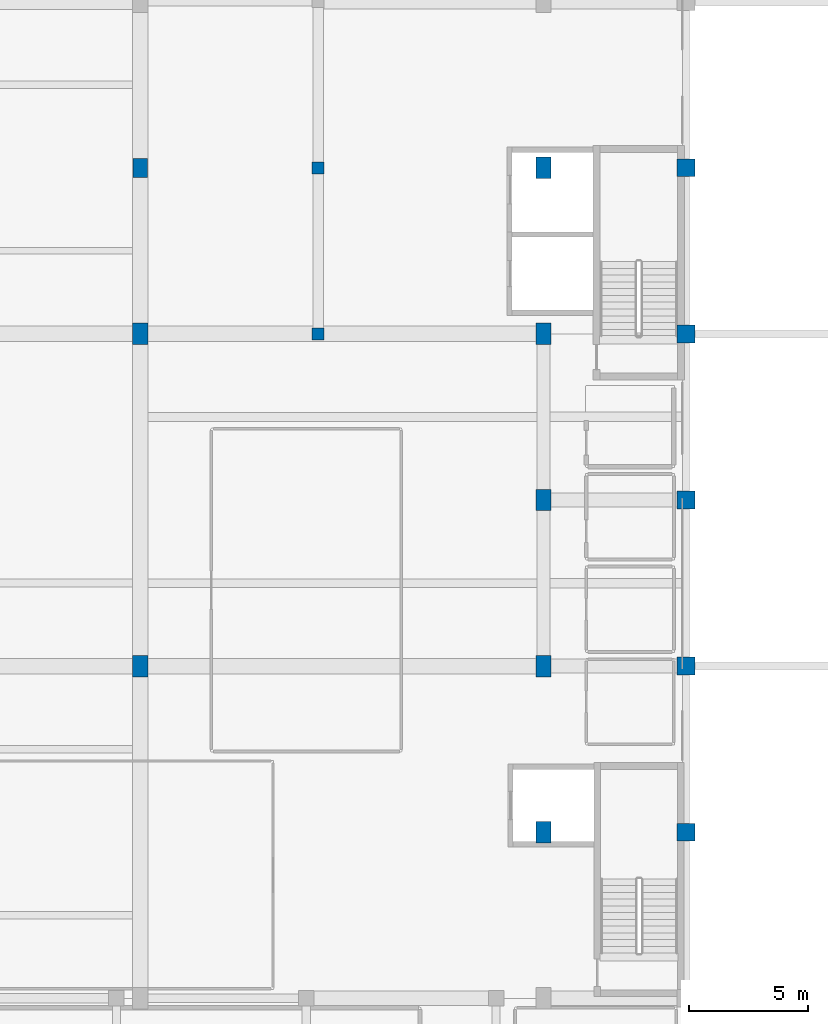
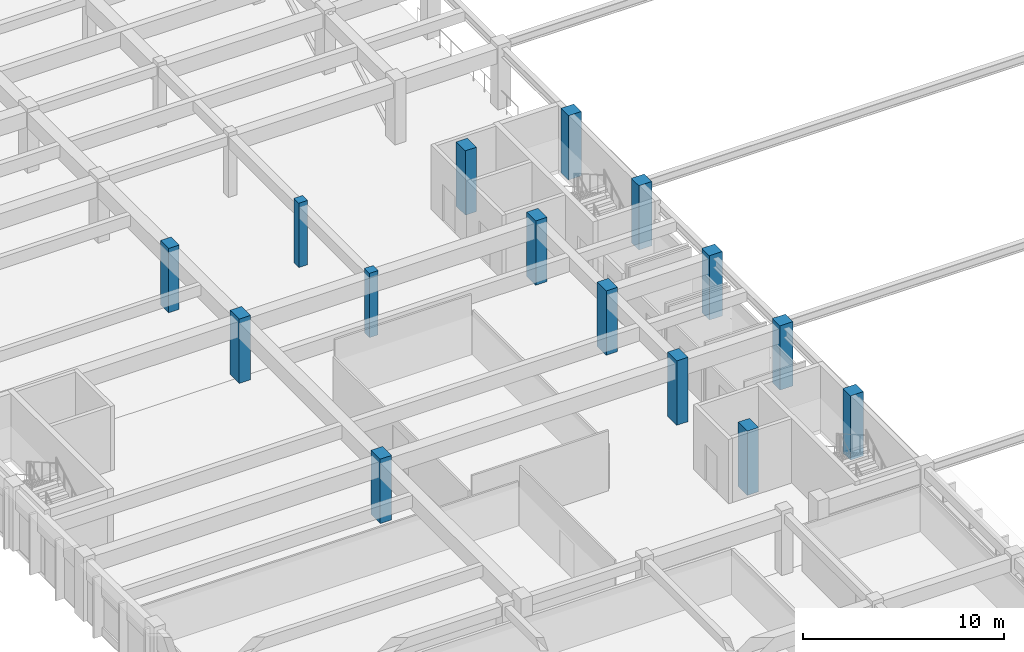
# One storey, part 4 of 98: 15 columns.
"""IFC4 building model written with IfcOpenShell, lengths in metres."""

from ifc_helpers import new_model, si_unit, direction, frame, origin, origin_2d, place, context, subcontext, project, spatial, rectangle, extrude, material, material_profile, profile_set, type_object, element, save


model = new_model("IFC4")

# Units and contexts
model_context = context("Model", 3, precision=1e-05, world=origin(), true_north=direction((0.0, 1.0)))
body_context = subcontext(model_context, "Body", "Model", "MODEL_VIEW")
ifc_project = project(units=[si_unit("LENGTHUNIT", "METRE"), si_unit("AREAUNIT", "SQUARE_METRE"), si_unit("VOLUMEUNIT", "CUBIC_METRE"), si_unit("PLANEANGLEUNIT", "RADIAN"), si_unit("MASSUNIT", "GRAM", prefix="KILO")], contexts=[model_context])

# Site, building, storey
site_placement = place(None, origin())
site = spatial("IfcSite", under=ifc_project, at=site_placement, CompositionType="ELEMENT")
building_placement = place(site_placement, origin())
building = spatial("IfcBuilding", under=site, at=building_placement, Name="Larkveld Mobility Hub", CompositionType="ELEMENT")
storey_placement = place(building_placement, frame((0.0, 0.0, 4.5)))
storey = spatial("IfcBuildingStorey", under=building, at=storey_placement, Name="L01", CompositionType="ELEMENT", Elevation=4.5)

# Columns
ifc_material_1 = material(Name="Precast concrete C50/60", Category="concrete")
ifc_material_profile_1 = material_profile(ifc_material_1, rectangle(XDim=0.60009765625, YDim=0.800048828125, at=origin_2d()), Name="RC COL 600x800")
ifc_profile_set_1 = profile_set([ifc_material_profile_1], Name="Precast concrete C50/60")
column_type_1 = type_object("IfcColumnType", Name="CL-PC6080", PredefinedType="COLUMN", material=ifc_profile_set_1)
column_placement = place(storey_placement, frame((129.0, 63.0, 0.0), z_axis=(0.0, 0.0, 1.0), x_axis=(1.0, 0.0, 0.0)))
element("IfcColumn", 1, at=column_placement, inside=storey, type_object=column_type_1, Name="Column EVR-X1290-Y63 (L01)", PredefinedType="COLUMN", context=body_context, shape_type="SweptSolid", body=[
    extrude(rectangle(XDim=0.60009765625, YDim=0.800048828125, at=origin_2d()), origin(), (0.0, 0.0, 1.0), 3.89990234375),
])
ifc_material_profile_2 = material_profile(ifc_material_1, rectangle(XDim=0.64990234375, YDim=0.89990234375, at=origin_2d()), Name="RC COL 650x900")
ifc_profile_set_2 = profile_set([ifc_material_profile_2], Name="Precast concrete C50/60")
column_type_2 = type_object("IfcColumnType", Name="CL-PC6590", PredefinedType="COLUMN", material=ifc_profile_set_2)
for number, where, z_axis, x_axis, name in (
    (2, (129.0, 42.0, 0.0), (0.0, 0.0, 1.0), (1.0, 0.0, 0.0), "Column EV-X129-Y42 (L01)"),
    (3, (129.0, 56.0, 0.0), (0.0, 0.0, 1.0), (1.0, 0.0, 0.0), "Column EV-X129-Y56 (L01)"),
    (4, (146.0, 35.0, 0.0), (0.0, 0.0, 1.0), (1.0, 0.0, 0.0), "Column EV-X146-Y35 (L01)"),
    (5, (146.0, 42.0, 0.0), (0.0, 0.0, 1.0), (1.0, 0.0, 0.0), "Column EV-X146-Y42 (L01)"),
    (6, (146.0, 49.0, 0.0), (0.0, 0.0, 1.0), (1.0, 0.0, 0.0), "Column EV-X146-Y49 (L01)"),
    (7, (146.0, 56.0, 0.0), (0.0, 0.0, 1.0), (1.0, 0.0, 0.0), "Column EV-X146-Y56 (L01)"),
    (8, (146.0, 63.0, 0.0), (0.0, 0.0, 1.0), (1.0, 0.0, 0.0), "Column EV-X146-Y63 (L01)"),
):
    element("IfcColumn", number, at=place(storey_placement, frame(where, z_axis=z_axis, x_axis=x_axis)), inside=storey, type_object=column_type_2, Name=name, PredefinedType="COLUMN", context=body_context, shape_type="SweptSolid", body=[
        extrude(rectangle(XDim=0.64990234375, YDim=0.89990234375, at=origin_2d()), origin(), (0.0, 0.0, 1.0), 3.89990234375),
    ])
ifc_material_2 = material(Name="Concrete C40/50", Category="concrete")
ifc_material_profile_3 = material_profile(ifc_material_2, rectangle(XDim=0.5, YDim=0.5, at=origin_2d()), Name="RC COL 500x500")
ifc_profile_set_3 = profile_set([ifc_material_profile_3], Name="Concrete C40/50")
column_type_3 = type_object("IfcColumnType", Name="CL-RC500", PredefinedType="COLUMN", material=ifc_profile_set_3)
for number, where, z_axis, x_axis, name in (
    (9, (136.5, 56.0, 0.0), (0.0, 0.0, 1.0), (1.0, 0.0, 0.0), "Column EVR-X1365-Y56 (L01)"),
    (10, (136.5, 63.0, 0.0), (0.0, 0.0, 1.0), (1.0, 0.0, 0.0), "Column EVR-X1365-Y63 (L01)"),
):
    element("IfcColumn", number, at=place(storey_placement, frame(where, z_axis=z_axis, x_axis=x_axis)), inside=storey, type_object=column_type_3, Name=name, PredefinedType="COLUMN", context=body_context, shape_type="SweptSolid", body=[
        extrude(rectangle(XDim=0.5, YDim=0.5, at=origin_2d()), origin(), (0.0, 0.0, 1.0), 3.89990234375),
    ])
ifc_material_profile_4 = material_profile(ifc_material_2, rectangle(XDim=0.75, YDim=0.75, at=origin_2d()), Name="RC COL 750x750")
ifc_profile_set_4 = profile_set([ifc_material_profile_4], Name="Concrete C40/50")
column_type_4 = type_object("IfcColumnType", Name="CL-RC750", PredefinedType="COLUMN", material=ifc_profile_set_4)
for number, where, z_axis, x_axis, name in (
    (11, (152.0, 35.0, 0.0), (0.0, 0.0, 1.0), (1.0, 0.0, 0.0), "Column EV-X152-Y35 (L01)"),
    (12, (152.0, 42.0, 0.0), (0.0, 0.0, 1.0), (1.0, 0.0, 0.0), "Column EV-X152-Y42 (L01)"),
    (13, (152.0, 49.0, 0.0), (0.0, 0.0, 1.0), (1.0, 0.0, 0.0), "Column EV-X152-Y49 (L01)"),
    (14, (152.0, 56.0, 0.0), (0.0, 0.0, 1.0), (1.0, 0.0, 0.0), "Column EV-X152-Y56 (L01)"),
    (15, (152.0, 63.0, 0.0), (0.0, 0.0, 1.0), (1.0, 0.0, 0.0), "Column EV-X152-Y63 (L01)"),
):
    element("IfcColumn", number, at=place(storey_placement, frame(where, z_axis=z_axis, x_axis=x_axis)), inside=storey, type_object=column_type_4, Name=name, PredefinedType="COLUMN", context=body_context, shape_type="SweptSolid", body=[
        extrude(rectangle(XDim=0.75, YDim=0.75, at=origin_2d()), origin(), (0.0, 0.0, 1.0), 3.89990234375),
    ])

save(model, "model.ifc")
